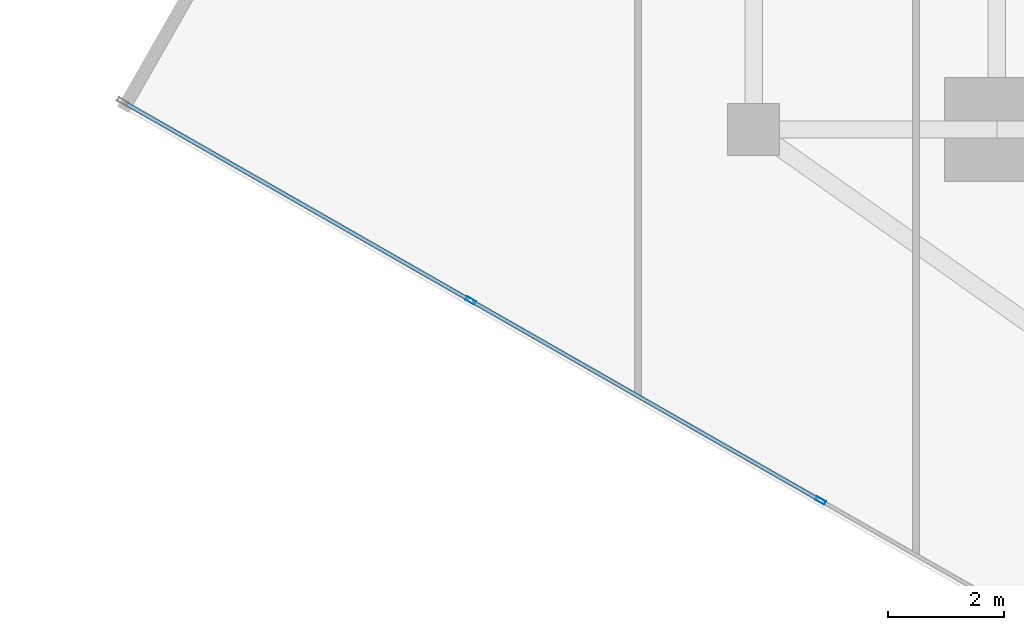
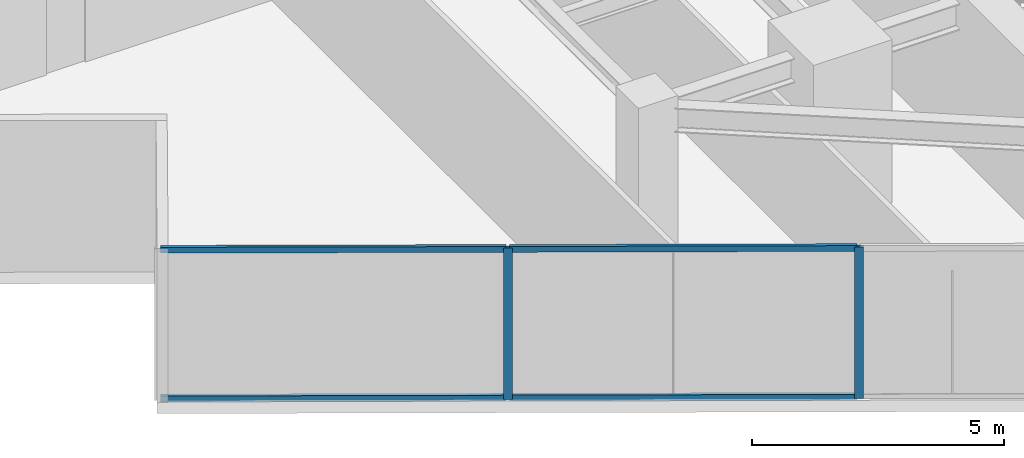
# One storey, part 2 of 24: 6 members, 1 element without a shape of its own.
"""IFC4 building model written with IfcOpenShell, lengths in metres."""

from ifc_helpers import new_model, si_unit, direction, frame, origin, origin_2d, place, context, subcontext, project, spatial, hollow_rectangle, extrude, source, transform, mapped, material, material_profile, profile_set, type_object, type_shapes, element, aggregate, save


model = new_model("IFC4")

# Units and contexts
model_context = context("Model", 3, precision=1e-05, world=origin(), true_north=direction((0.0, 1.0)))
body_context = subcontext(model_context, "Body", "Model", "MODEL_VIEW")
ifc_project = project(units=[si_unit("LENGTHUNIT", "METRE"), si_unit("AREAUNIT", "SQUARE_METRE"), si_unit("VOLUMEUNIT", "CUBIC_METRE"), si_unit("PLANEANGLEUNIT", "RADIAN"), si_unit("MASSUNIT", "GRAM", prefix="KILO")], contexts=[model_context])

# Site, building, storey
site_placement = place(None, origin())
site = spatial("IfcSite", under=ifc_project, at=site_placement, CompositionType="ELEMENT")
building_placement = place(site_placement, origin())
building = spatial("IfcBuilding", under=site, at=building_placement, Name="Krantzveldt Concourse Tower", CompositionType="ELEMENT")
storey_placement = place(building_placement, frame((0.0, 0.0, 162.0)))
storey = spatial("IfcBuildingStorey", under=building, at=storey_placement, Name="L39", CompositionType="ELEMENT", Elevation=162.0)

# Curtain wall, members
ifc_material = material(Name="Anodised aluminium 6063-T6", Category="aluminium")
curtain_wall_type = type_object("IfcCurtainWallType", Name="CW3", PredefinedType="USERDEFINED", material=ifc_material)
curtain_wall_placement = place(storey_placement, origin())
curtain_wall = element("IfcCurtainWall", 1, at=curtain_wall_placement, inside=storey, type_object=curtain_wall_type, Name="CW-L39-F08", ObjectType="UNITISED CURTAIN WALL", PredefinedType="USERDEFINED")
ifc_material_profile_1 = material_profile(ifc_material, hollow_rectangle(XDim=0.070068359375, YDim=0.179931640625, WallThickness=0.0048828125, at=origin_2d()), Name="Anodised aluminium 6063-T6", Category="aluminium")
ifc_profile_set_1 = profile_set([ifc_material_profile_1], Name="Anodised aluminium 6063-T6 - ALU-MULL 180x70x5")
member_type_1 = type_object("IfcMemberType", Name="CW-MUL-180", PredefinedType="MULLION", material=ifc_profile_set_1)
shared_shape_1 = source(origin(), body_context, "Body", "SweptSolid", [
    extrude(hollow_rectangle(XDim=0.070068359375, YDim=0.179931640625, WallThickness=0.0048828125, at=origin_2d()), origin(), (0.0, 0.0, 1.0), 3.669921875),
])
type_shapes(member_type_1, [shared_shape_1])
member_1_placement = place(storey_placement, frame((16.113525390625, 12.945068359375, 0.0), z_axis=(0.0, 0.0, 1.0), x_axis=(0.496216394392, 0.868198876949, 0.0)))
member_1 = element("IfcMember", 2, at=member_1_placement, type_object=member_type_1, Name="CW-Z34 mullion 2", PredefinedType="MULLION", context=body_context, shape_type="MappedRepresentation", body=[
    mapped(shared_shape_1, transform((0.0, 0.0, 0.0), x_axis=(1.0, 0.0, 0.0), y_axis=(0.0, 1.0, 0.0), z_axis=(0.0, 0.0, 1.0), scale=1.0)),
])
member_2_placement = place(storey_placement, frame((22.15625, 9.491455078125, 0.0), z_axis=(0.0, 0.0, 1.0), x_axis=(0.496216394392, 0.868198876949, 0.0)))
member_2 = element("IfcMember", 3, at=member_2_placement, type_object=member_type_1, Name="CW-Z34 mullion 3", PredefinedType="MULLION", context=body_context, shape_type="MappedRepresentation", body=[
    mapped(shared_shape_1, transform((0.0, 0.0, 0.0), x_axis=(1.0, 0.0, 0.0), y_axis=(0.0, 1.0, 0.0), z_axis=(0.0, 0.0, 1.0), scale=1.0)),
])
ifc_material_profile_2 = material_profile(ifc_material, hollow_rectangle(XDim=0.070068359375, YDim=0.139892578125, WallThickness=0.0048828125, at=origin_2d()), Name="Anodised aluminium 6063-T6", Category="aluminium")
ifc_profile_set_2 = profile_set([ifc_material_profile_2], Name="Anodised aluminium 6063-T6 - ALU-TRAN 140x70x5")
member_type_2 = type_object("IfcMemberType", Name="CW-TRN-150", PredefinedType="USERDEFINED", material=ifc_profile_set_2)
shared_shape_2 = source(origin(), body_context, "Body", "SweptSolid", [
    extrude(hollow_rectangle(XDim=0.070068359375, YDim=0.139892578125, WallThickness=0.0048828125, at=origin_2d()), origin(), (0.0, 0.0, 1.0), 6.89013671875),
])
member_3_placement = place(storey_placement, frame((16.143798828125, 12.927734375, 0.034912109375), z_axis=(0.868199527911, -0.496215255443, 0.0), x_axis=(0.496215255443, 0.868199527911, 0.0)))
member_3 = element("IfcMember", 4, at=member_3_placement, type_object=member_type_2, Name="CW-Z34 transom 2.1", ObjectType="TRANSOM", PredefinedType="USERDEFINED", context=body_context, shape_type="MappedRepresentation", body=[
    mapped(shared_shape_2, transform((0.0, 0.0, 0.0), x_axis=(1.0, 0.0, 0.0), y_axis=(0.0, 1.0, 0.0), z_axis=(0.0, 0.0, 1.0), scale=1.0)),
])
member_4_placement = place(storey_placement, frame((16.143798828125, 12.927734375, 3.635009765625), z_axis=(0.868199527911, -0.496215255443, 0.0), x_axis=(0.496215255443, 0.868199527911, 0.0)))
member_4 = element("IfcMember", 5, at=member_4_placement, type_object=member_type_2, Name="CW-Z34 transom 2.2", ObjectType="TRANSOM", PredefinedType="USERDEFINED", context=body_context, shape_type="MappedRepresentation", body=[
    mapped(shared_shape_2, transform((0.0, 0.0, 0.0), x_axis=(1.0, 0.0, 0.0), y_axis=(0.0, 1.0, 0.0), z_axis=(0.0, 0.0, 1.0), scale=1.0)),
])
shared_shape_3 = source(origin(), body_context, "Body", "SweptSolid", [
    extrude(hollow_rectangle(XDim=0.070068359375, YDim=0.139892578125, WallThickness=0.0048828125, at=origin_2d()), origin(), (0.0, 0.0, 1.0), 6.855224609375),
])
type_shapes(member_type_2, [shared_shape_2, shared_shape_3])
member_5_placement = place(storey_placement, frame((10.131591796875, 16.364013671875, 0.034912109375), z_axis=(0.868201497918, -0.496211808618, 0.0), x_axis=(0.496211808618, 0.868201497918, 0.0)))
member_5 = element("IfcMember", 6, at=member_5_placement, type_object=member_type_2, Name="CW-Z34 transom 1.1", ObjectType="TRANSOM", PredefinedType="USERDEFINED", context=body_context, shape_type="MappedRepresentation", body=[
    mapped(shared_shape_3, transform((0.0, 0.0, 0.0), x_axis=(1.0, 0.0, 0.0), y_axis=(0.0, 1.0, 0.0), z_axis=(0.0, 0.0, 1.0), scale=1.0)),
])
member_6_placement = place(storey_placement, frame((10.131591796875, 16.364013671875, 3.635009765625), z_axis=(0.868201497918, -0.496211808618, 0.0), x_axis=(0.496211808618, 0.868201497918, 0.0)))
member_6 = element("IfcMember", 7, at=member_6_placement, type_object=member_type_2, Name="CW-Z34 transom 1.2", ObjectType="TRANSOM", PredefinedType="USERDEFINED", context=body_context, shape_type="MappedRepresentation", body=[
    mapped(shared_shape_3, transform((0.0, 0.0, 0.0), x_axis=(1.0, 0.0, 0.0), y_axis=(0.0, 1.0, 0.0), z_axis=(0.0, 0.0, 1.0), scale=1.0)),
])
aggregate(curtain_wall, [member_1, member_2, member_5, member_6, member_3, member_4])

save(model, "model.ifc")
